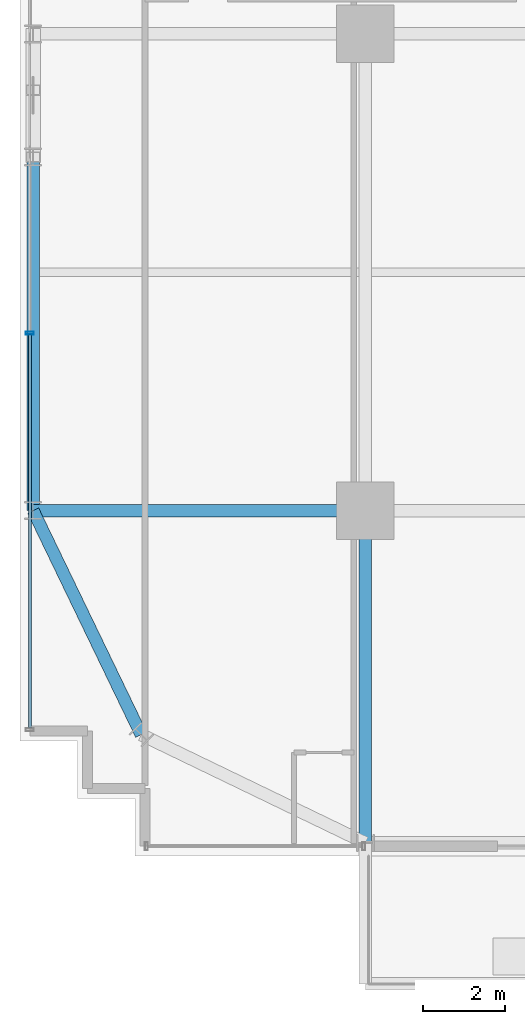
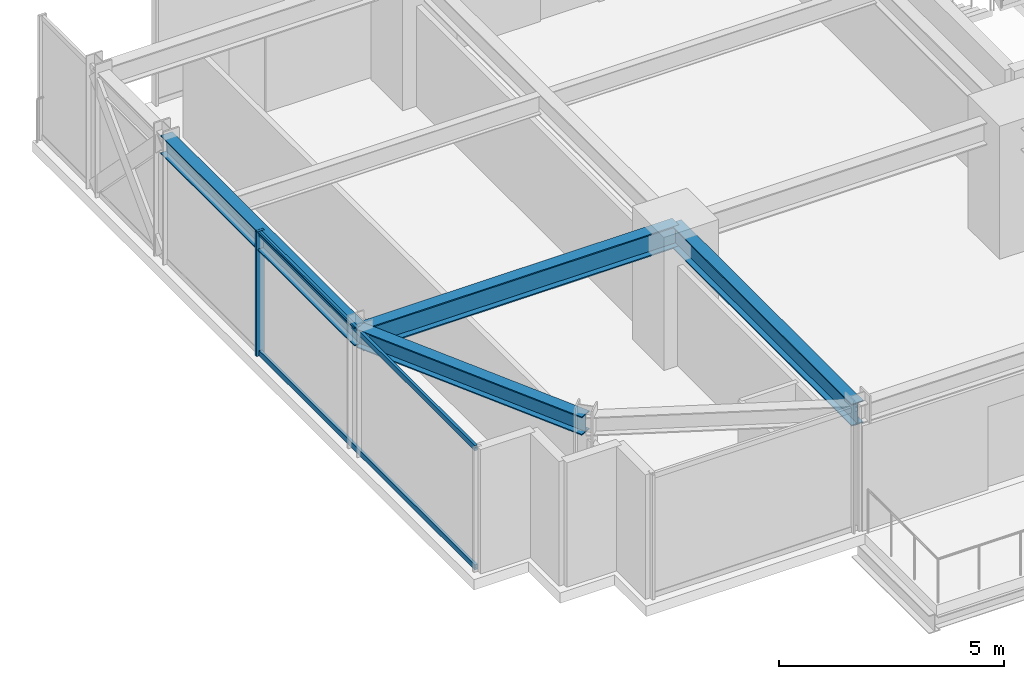
# One storey, part 4 of 35: 4 beams, 3 members, 1 element without a shape of its own.
"""IFC4 building model written with IfcOpenShell, lengths in metres."""

from ifc_helpers import new_model, si_unit, direction, frame, origin, origin_2d, place, context, subcontext, project, spatial, hollow_rectangle, i_section, extrude, source, transform, mapped, material, material_profile, profile_set, type_object, element, aggregate, save


model = new_model("IFC4")

# Units and contexts
model_context = context("Model", 3, precision=1e-05, world=origin(), true_north=direction((0.0, 1.0)))
body_context = subcontext(model_context, "Body", "Model", "MODEL_VIEW")
ifc_project = project(units=[si_unit("LENGTHUNIT", "METRE"), si_unit("AREAUNIT", "SQUARE_METRE"), si_unit("VOLUMEUNIT", "CUBIC_METRE"), si_unit("PLANEANGLEUNIT", "RADIAN"), si_unit("MASSUNIT", "GRAM", prefix="KILO")], contexts=[model_context])

# Site, building, storey
site_placement = place(None, origin())
site = spatial("IfcSite", under=ifc_project, at=site_placement, CompositionType="ELEMENT")
building_placement = place(site_placement, origin())
building = spatial("IfcBuilding", under=site, at=building_placement, Name="Nahalor Promenade Grand Hotel", CompositionType="ELEMENT")
storey_placement = place(building_placement, frame((0.0, 0.0, 43.35009765625)))
storey = spatial("IfcBuildingStorey", under=building, at=storey_placement, Name="L09", CompositionType="ELEMENT", Elevation=43.35009765625)

# Beams
ifc_material_1 = material(Name="Steel S355JR", Category="steel")
ifc_material_profile_1 = material_profile(ifc_material_1, i_section(OverallWidth=0.3, OverallDepth=0.5, WebThickness=0.0145, FlangeThickness=0.028, at=origin_2d()), Name="HEB 500")
ifc_profile_set_1 = profile_set([ifc_material_profile_1], Name="Steel S355JR")
beam_type_1 = type_object("IfcBeamType", Name="Beam-Spandrel-HEB500", PredefinedType="SPANDREL", material=ifc_profile_set_1)
shared_shape_1 = source(origin(), body_context, "Body", "SweptSolid", [
    extrude(i_section(OverallWidth=0.3, OverallDepth=0.5, WebThickness=0.0145, FlangeThickness=0.028, at=origin_2d()), origin(), (0.0, 0.0, 1.0), 8.60009765625),
])
beam_1_placement = place(storey_placement, frame((-25.080078125, -17.0, 3.119873046875), z_axis=(0.0, 1.0, 0.0), x_axis=(-1.0, 0.0, 0.0)))
element("IfcBeam", 1, at=beam_1_placement, inside=storey, type_object=beam_type_1, Name="BM-L09-SP-W-0", PredefinedType="SPANDREL", context=body_context, shape_type="MappedRepresentation", body=[
    mapped(shared_shape_1, transform((0.0, 0.0, 0.0), scale=1.0)),
])
ifc_material_profile_2 = material_profile(ifc_material_1, i_section(OverallWidth=0.3, OverallDepth=0.6, WebThickness=0.0155, FlangeThickness=0.03, at=origin_2d()), Name="HEB 600")
ifc_profile_set_2 = profile_set([ifc_material_profile_2], Name="Steel S355JR")
beam_type_2 = type_object("IfcBeamType", Name="Beam-Girder-HEB600", PredefinedType="BEAM", material=ifc_profile_set_2)
shared_shape_2 = source(origin(), body_context, "Body", "SweptSolid", [
    extrude(i_section(OverallWidth=0.3, OverallDepth=0.6, WebThickness=0.0155, FlangeThickness=0.03, at=origin_2d()), origin(), (0.0, 0.0, 1.0), 8.080078125),
])
for number, where, z_axis, x_axis, name in (
    (2, (-25.080078125, -17.0, 3.06982421875), (1.0, 0.0, 0.0), (0.0, 1.0, 0.0), "BM-L09-GX-0-0"),
    (3, (-17.0, -25.080078125, 3.06982421875), (0.0, 1.0, 0.0), (-1.0, 0.0, 0.0), "BM-L09-GY-0-0"),
):
    element("IfcBeam", number, at=place(storey_placement, frame(where, z_axis=z_axis, x_axis=x_axis)), inside=storey, type_object=beam_type_2, Name=name, PredefinedType="BEAM", context=body_context, shape_type="MappedRepresentation", body=[
        mapped(shared_shape_2, transform((0.0, 0.0, 0.0), scale=1.0)),
    ])
shared_shape_3 = source(origin(), body_context, "Body", "SweptSolid", [
    extrude(i_section(OverallWidth=0.3, OverallDepth=0.5, WebThickness=0.0145, FlangeThickness=0.028, at=origin_2d()), origin(), (0.0, 0.0, 1.0), 6.051513671875),
])
beam_2_placement = place(storey_placement, frame((-22.449951171875, -22.449951171875, 3.119873046875), z_axis=(-0.434630596492, 0.900608818852, 0.0), x_axis=(-0.900608818852, -0.434630596492, 0.0)))
element("IfcBeam", 4, at=beam_2_placement, inside=storey, type_object=beam_type_1, Name="BM-L09-SPC-SW-2", PredefinedType="SPANDREL", context=body_context, shape_type="MappedRepresentation", body=[
    mapped(shared_shape_3, transform((0.0, 0.0, 0.0), scale=1.0)),
])

# Curtain wall, members
ifc_material_2 = material(Name="Anodised Bronze Aluminium EN AW-6063 T6", Category="aluminium")
curtain_wall_type = type_object("IfcCurtainWallType", Name="CW3 Elliptical-Void Collar Unitised Curtain Wall", PredefinedType="USERDEFINED", material=ifc_material_2)
curtain_wall_placement = place(storey_placement, origin())
curtain_wall = element("IfcCurtainWall", 5, at=curtain_wall_placement, inside=storey, type_object=curtain_wall_type, Name="L09 Curtain Wall CW-L09-W-1", ObjectType="UNITISED_CURTAIN_WALL", PredefinedType="USERDEFINED")
ifc_material_profile_3 = material_profile(ifc_material_2, hollow_rectangle(XDim=0.07, YDim=0.2, WallThickness=0.005, at=origin_2d()), Name="CWM 70x200x5")
ifc_profile_set_3 = profile_set([ifc_material_profile_3], Name="Anodised Bronze Aluminium EN AW-6063 T6")
member_type_1 = type_object("IfcMemberType", Name="CWM3 Void Collar Mullion 70x200", PredefinedType="MULLION", material=ifc_profile_set_3)
shared_shape_4 = source(origin(), body_context, "Body", "SweptSolid", [
    extrude(hollow_rectangle(XDim=0.07, YDim=0.2, WallThickness=0.005, at=origin_2d()), origin(), (0.0, 0.0, 1.0), 3.369873046875),
])
member_1_placement = place(storey_placement, frame((-25.159912109375, -12.679443359375, 0.0), z_axis=(0.0, 0.0, 1.0), x_axis=(0.0, 1.0, 0.0)))
member_1 = element("IfcMember", 6, at=member_1_placement, type_object=member_type_1, Name="CW-L09-W-1 Mullion 1", PredefinedType="MULLION", context=body_context, shape_type="MappedRepresentation", body=[
    mapped(shared_shape_4, transform((0.0, 0.0, 0.0), scale=1.0)),
])
ifc_material_profile_4 = material_profile(ifc_material_2, hollow_rectangle(XDim=0.07, YDim=0.14, WallThickness=0.004, at=origin_2d()), Name="CWT 70x140x4")
ifc_profile_set_4 = profile_set([ifc_material_profile_4], Name="Anodised Bronze Aluminium EN AW-6063 T6")
member_type_2 = type_object("IfcMemberType", Name="CWT3 Void Collar Transom 70x140", PredefinedType="USERDEFINED", material=ifc_profile_set_4)
shared_shape_5 = source(origin(), body_context, "Body", "SweptSolid", [
    extrude(hollow_rectangle(XDim=0.07, YDim=0.14, WallThickness=0.004, at=origin_2d()), origin(), (0.0, 0.0, 1.0), 9.575439453125),
])
member_2_placement = place(storey_placement, frame((-25.159912109375, -22.2900390625, 0.06982421875), z_axis=(0.0, 1.0, 0.0), x_axis=(-1.0, 0.0, 0.0)))
member_2 = element("IfcMember", 7, at=member_2_placement, type_object=member_type_2, Name="CW-L09-W-1 Transom 0-0", ObjectType="TRANSOM", PredefinedType="USERDEFINED", context=body_context, shape_type="MappedRepresentation", body=[
    mapped(shared_shape_5, transform((0.0, 0.0, 0.0), scale=1.0)),
])
member_3_placement = place(storey_placement, frame((-25.159912109375, -22.2900390625, 3.2998046875), z_axis=(0.0, 1.0, 0.0), x_axis=(-1.0, 0.0, 0.0)))
member_3 = element("IfcMember", 8, at=member_3_placement, type_object=member_type_2, Name="CW-L09-W-1 Transom 0-1", ObjectType="TRANSOM", PredefinedType="USERDEFINED", context=body_context, shape_type="MappedRepresentation", body=[
    mapped(shared_shape_5, transform((0.0, 0.0, 0.0), scale=1.0)),
])
aggregate(curtain_wall, [member_1, member_2, member_3])

save(model, "model.ifc")
